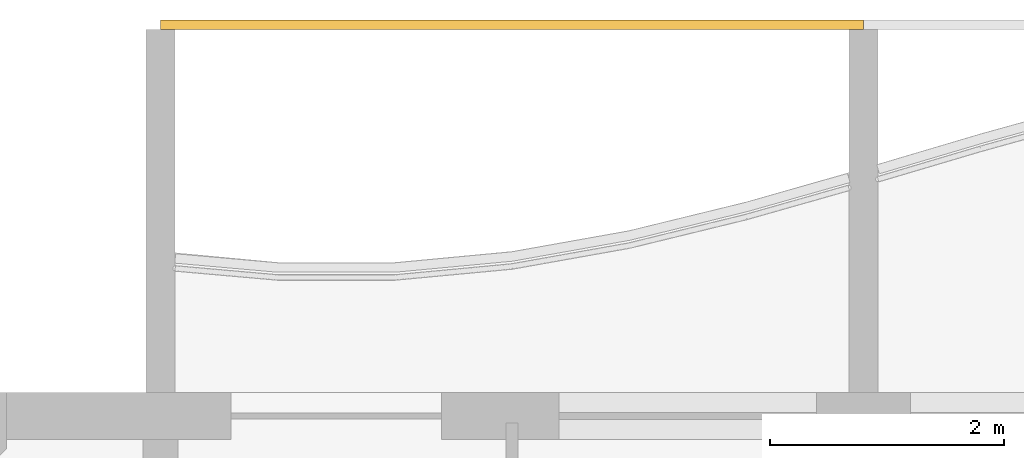
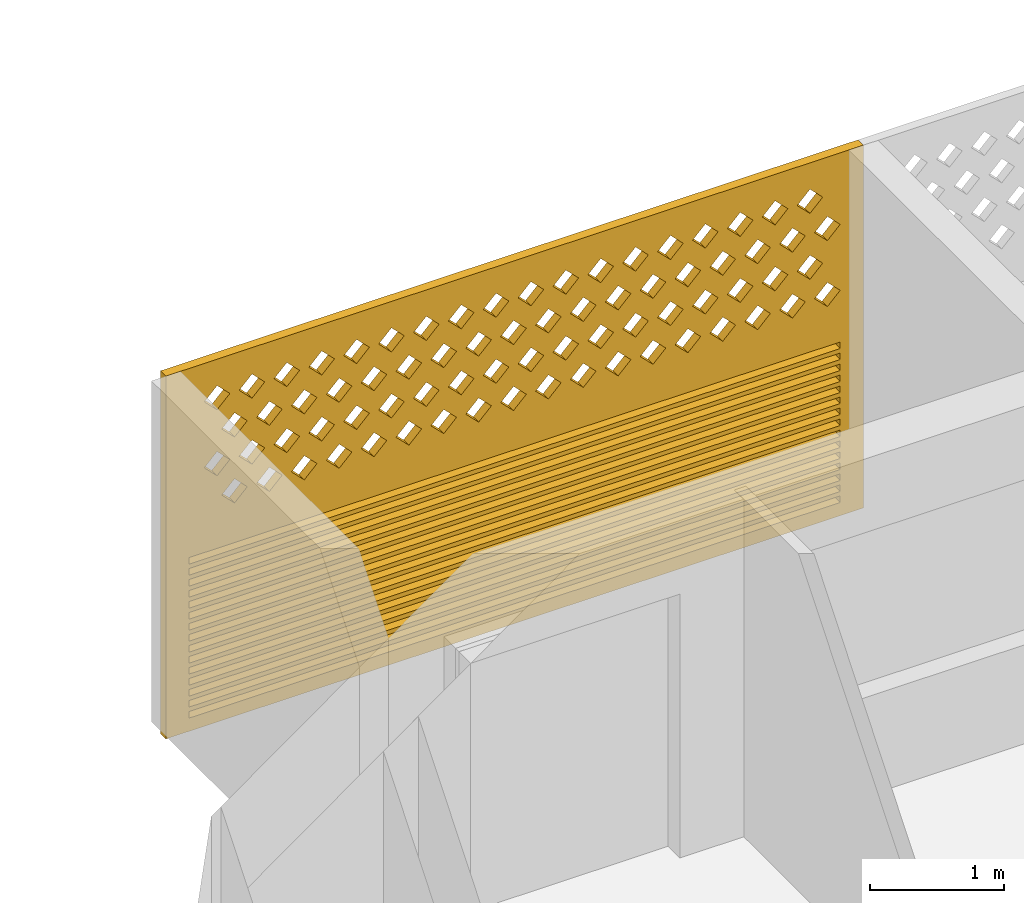
# One storey, part 18 of 32: 1 covering.
"""IFC4 building model written with IfcOpenShell, lengths in metres."""

from ifc_helpers import new_model, si_unit, direction, frame, origin, place, context, subcontext, project, spatial, polyline, outline, extrude, source, transform, mapped, material, material_profile, profile_set, type_object, element, save


model = new_model("IFC4")

# Units and contexts
model_context = context("Model", 3, precision=1e-05, world=origin(), true_north=direction((0.0, 1.0)))
body_context = subcontext(model_context, "Body", "Model", "MODEL_VIEW")
ifc_project = project(units=[si_unit("LENGTHUNIT", "METRE"), si_unit("AREAUNIT", "SQUARE_METRE"), si_unit("VOLUMEUNIT", "CUBIC_METRE"), si_unit("PLANEANGLEUNIT", "RADIAN"), si_unit("MASSUNIT", "GRAM", prefix="KILO")], contexts=[model_context])

# Site, building, storey
site_placement = place(None, origin())
site = spatial("IfcSite", under=ifc_project, at=site_placement, CompositionType="ELEMENT")
building_placement = place(site_placement, origin())
building = spatial("IfcBuilding", under=site, at=building_placement, Name="Poui Terraces", CompositionType="ELEMENT")
storey_placement = place(building_placement, frame((0.0, 0.0, 152.10009765625)))
storey = spatial("IfcBuildingStorey", under=building, at=storey_placement, Name="L42", CompositionType="ELEMENT", Elevation=152.10009765625)

# Covering
ifc_material = material(Name="Terracotta screen", Category="masonry")
ifc_material_profile = material_profile(ifc_material, outline(polyline([(-3.0, -1.64990234375), (3.0, -1.64990234375), (3.0, 1.64990234375), (-3.0, 1.64990234375), (-3.0, -1.64990234375)]), holes=[polyline([(-2.800048828125, 0.39990234375), (-2.68994140625, 0.2900390625), (-2.580078125, 0.39990234375), (-2.68994140625, 0.510009765625), (-2.800048828125, 0.39990234375)]), polyline([(-2.5, 0.39990234375), (-2.389892578125, 0.2900390625), (-2.280029296875, 0.39990234375), (-2.389892578125, 0.510009765625), (-2.5, 0.39990234375)]), polyline([(-2.199951171875, 0.39990234375), (-2.090087890625, 0.2900390625), (-1.97998046875, 0.39990234375), (-2.090087890625, 0.510009765625), (-2.199951171875, 0.39990234375)]), polyline([(-1.89990234375, 0.39990234375), (-1.7900390625, 0.2900390625), (-1.679931640625, 0.39990234375), (-1.7900390625, 0.510009765625), (-1.89990234375, 0.39990234375)]), polyline([(-1.60009765625, 0.39990234375), (-1.489990234375, 0.2900390625), (-1.3798828125, 0.39990234375), (-1.489990234375, 0.510009765625), (-1.60009765625, 0.39990234375)]), polyline([(-1.300048828125, 0.39990234375), (-1.18994140625, 0.2900390625), (-1.080078125, 0.39990234375), (-1.18994140625, 0.510009765625), (-1.300048828125, 0.39990234375)]), polyline([(-1.0, 0.39990234375), (-0.889892578125, 0.2900390625), (-0.780029296875, 0.39990234375), (-0.889892578125, 0.510009765625), (-1.0, 0.39990234375)]), polyline([(-0.699951171875, 0.39990234375), (-0.590087890625, 0.2900390625), (-0.47998046875, 0.39990234375), (-0.590087890625, 0.510009765625), (-0.699951171875, 0.39990234375)]), polyline([(-0.39990234375, 0.39990234375), (-0.2900390625, 0.2900390625), (-0.179931640625, 0.39990234375), (-0.2900390625, 0.510009765625), (-0.39990234375, 0.39990234375)]), polyline([(-0.10009765625, 0.39990234375), (0.010009765625, 0.2900390625), (0.1201171875, 0.39990234375), (0.010009765625, 0.510009765625), (-0.10009765625, 0.39990234375)]), polyline([(0.199951171875, 0.39990234375), (0.31005859375, 0.2900390625), (0.419921875, 0.39990234375), (0.31005859375, 0.510009765625), (0.199951171875, 0.39990234375)]), polyline([(0.5, 0.39990234375), (0.610107421875, 0.2900390625), (0.719970703125, 0.39990234375), (0.610107421875, 0.510009765625), (0.5, 0.39990234375)]), polyline([(0.800048828125, 0.39990234375), (0.909912109375, 0.2900390625), (1.02001953125, 0.39990234375), (0.909912109375, 0.510009765625), (0.800048828125, 0.39990234375)]), polyline([(1.10009765625, 0.39990234375), (1.2099609375, 0.2900390625), (1.320068359375, 0.39990234375), (1.2099609375, 0.510009765625), (1.10009765625, 0.39990234375)]), polyline([(1.39990234375, 0.39990234375), (1.510009765625, 0.2900390625), (1.6201171875, 0.39990234375), (1.510009765625, 0.510009765625), (1.39990234375, 0.39990234375)]), polyline([(1.699951171875, 0.39990234375), (1.81005859375, 0.2900390625), (1.919921875, 0.39990234375), (1.81005859375, 0.510009765625), (1.699951171875, 0.39990234375)]), polyline([(2.0, 0.39990234375), (2.110107421875, 0.2900390625), (2.219970703125, 0.39990234375), (2.110107421875, 0.510009765625), (2.0, 0.39990234375)]), polyline([(2.300048828125, 0.39990234375), (2.409912109375, 0.2900390625), (2.52001953125, 0.39990234375), (2.409912109375, 0.510009765625), (2.300048828125, 0.39990234375)]), polyline([(-2.64990234375, 0.699951171875), (-2.5400390625, 0.590087890625), (-2.429931640625, 0.699951171875), (-2.5400390625, 0.81005859375), (-2.64990234375, 0.699951171875)]), polyline([(-2.35009765625, 0.699951171875), (-2.239990234375, 0.590087890625), (-2.1298828125, 0.699951171875), (-2.239990234375, 0.81005859375), (-2.35009765625, 0.699951171875)]), polyline([(-2.050048828125, 0.699951171875), (-1.93994140625, 0.590087890625), (-1.830078125, 0.699951171875), (-1.93994140625, 0.81005859375), (-2.050048828125, 0.699951171875)]), polyline([(-1.75, 0.699951171875), (-1.639892578125, 0.590087890625), (-1.530029296875, 0.699951171875), (-1.639892578125, 0.81005859375), (-1.75, 0.699951171875)]), polyline([(-1.449951171875, 0.699951171875), (-1.340087890625, 0.590087890625), (-1.22998046875, 0.699951171875), (-1.340087890625, 0.81005859375), (-1.449951171875, 0.699951171875)]), polyline([(-1.14990234375, 0.699951171875), (-1.0400390625, 0.590087890625), (-0.929931640625, 0.699951171875), (-1.0400390625, 0.81005859375), (-1.14990234375, 0.699951171875)]), polyline([(-0.85009765625, 0.699951171875), (-0.739990234375, 0.590087890625), (-0.6298828125, 0.699951171875), (-0.739990234375, 0.81005859375), (-0.85009765625, 0.699951171875)]), polyline([(-0.550048828125, 0.699951171875), (-0.43994140625, 0.590087890625), (-0.330078125, 0.699951171875), (-0.43994140625, 0.81005859375), (-0.550048828125, 0.699951171875)]), polyline([(-0.25, 0.699951171875), (-0.139892578125, 0.590087890625), (-0.030029296875, 0.699951171875), (-0.139892578125, 0.81005859375), (-0.25, 0.699951171875)]), polyline([(0.050048828125, 0.699951171875), (0.159912109375, 0.590087890625), (0.27001953125, 0.699951171875), (0.159912109375, 0.81005859375), (0.050048828125, 0.699951171875)]), polyline([(0.35009765625, 0.699951171875), (0.4599609375, 0.590087890625), (0.570068359375, 0.699951171875), (0.4599609375, 0.81005859375), (0.35009765625, 0.699951171875)]), polyline([(0.64990234375, 0.699951171875), (0.760009765625, 0.590087890625), (0.8701171875, 0.699951171875), (0.760009765625, 0.81005859375), (0.64990234375, 0.699951171875)]), polyline([(0.949951171875, 0.699951171875), (1.06005859375, 0.590087890625), (1.169921875, 0.699951171875), (1.06005859375, 0.81005859375), (0.949951171875, 0.699951171875)]), polyline([(1.25, 0.699951171875), (1.360107421875, 0.590087890625), (1.469970703125, 0.699951171875), (1.360107421875, 0.81005859375), (1.25, 0.699951171875)]), polyline([(1.550048828125, 0.699951171875), (1.659912109375, 0.590087890625), (1.77001953125, 0.699951171875), (1.659912109375, 0.81005859375), (1.550048828125, 0.699951171875)]), polyline([(1.85009765625, 0.699951171875), (1.9599609375, 0.590087890625), (2.070068359375, 0.699951171875), (1.9599609375, 0.81005859375), (1.85009765625, 0.699951171875)]), polyline([(2.14990234375, 0.699951171875), (2.260009765625, 0.590087890625), (2.3701171875, 0.699951171875), (2.260009765625, 0.81005859375), (2.14990234375, 0.699951171875)]), polyline([(2.449951171875, 0.699951171875), (2.56005859375, 0.590087890625), (2.669921875, 0.699951171875), (2.56005859375, 0.81005859375), (2.449951171875, 0.699951171875)]), polyline([(-2.800048828125, 1.0), (-2.68994140625, 0.889892578125), (-2.580078125, 1.0), (-2.68994140625, 1.110107421875), (-2.800048828125, 1.0)]), polyline([(-2.5, 1.0), (-2.389892578125, 0.889892578125), (-2.280029296875, 1.0), (-2.389892578125, 1.110107421875), (-2.5, 1.0)]), polyline([(-2.199951171875, 1.0), (-2.090087890625, 0.889892578125), (-1.97998046875, 1.0), (-2.090087890625, 1.110107421875), (-2.199951171875, 1.0)]), polyline([(-1.89990234375, 1.0), (-1.7900390625, 0.889892578125), (-1.679931640625, 1.0), (-1.7900390625, 1.110107421875), (-1.89990234375, 1.0)]), polyline([(-1.60009765625, 1.0), (-1.489990234375, 0.889892578125), (-1.3798828125, 1.0), (-1.489990234375, 1.110107421875), (-1.60009765625, 1.0)]), polyline([(-1.300048828125, 1.0), (-1.18994140625, 0.889892578125), (-1.080078125, 1.0), (-1.18994140625, 1.110107421875), (-1.300048828125, 1.0)]), polyline([(-1.0, 1.0), (-0.889892578125, 0.889892578125), (-0.780029296875, 1.0), (-0.889892578125, 1.110107421875), (-1.0, 1.0)]), polyline([(-0.699951171875, 1.0), (-0.590087890625, 0.889892578125), (-0.47998046875, 1.0), (-0.590087890625, 1.110107421875), (-0.699951171875, 1.0)]), polyline([(-0.39990234375, 1.0), (-0.2900390625, 0.889892578125), (-0.179931640625, 1.0), (-0.2900390625, 1.110107421875), (-0.39990234375, 1.0)]), polyline([(-0.10009765625, 1.0), (0.010009765625, 0.889892578125), (0.1201171875, 1.0), (0.010009765625, 1.110107421875), (-0.10009765625, 1.0)]), polyline([(0.199951171875, 1.0), (0.31005859375, 0.889892578125), (0.419921875, 1.0), (0.31005859375, 1.110107421875), (0.199951171875, 1.0)]), polyline([(0.5, 1.0), (0.610107421875, 0.889892578125), (0.719970703125, 1.0), (0.610107421875, 1.110107421875), (0.5, 1.0)]), polyline([(0.800048828125, 1.0), (0.909912109375, 0.889892578125), (1.02001953125, 1.0), (0.909912109375, 1.110107421875), (0.800048828125, 1.0)]), polyline([(1.10009765625, 1.0), (1.2099609375, 0.889892578125), (1.320068359375, 1.0), (1.2099609375, 1.110107421875), (1.10009765625, 1.0)]), polyline([(1.39990234375, 1.0), (1.510009765625, 0.889892578125), (1.6201171875, 1.0), (1.510009765625, 1.110107421875), (1.39990234375, 1.0)]), polyline([(1.699951171875, 1.0), (1.81005859375, 0.889892578125), (1.919921875, 1.0), (1.81005859375, 1.110107421875), (1.699951171875, 1.0)]), polyline([(2.0, 1.0), (2.110107421875, 0.889892578125), (2.219970703125, 1.0), (2.110107421875, 1.110107421875), (2.0, 1.0)]), polyline([(2.300048828125, 1.0), (2.409912109375, 0.889892578125), (2.52001953125, 1.0), (2.409912109375, 1.110107421875), (2.300048828125, 1.0)]), polyline([(-2.64990234375, 1.300048828125), (-2.5400390625, 1.18994140625), (-2.429931640625, 1.300048828125), (-2.5400390625, 1.409912109375), (-2.64990234375, 1.300048828125)]), polyline([(-2.35009765625, 1.300048828125), (-2.239990234375, 1.18994140625), (-2.1298828125, 1.300048828125), (-2.239990234375, 1.409912109375), (-2.35009765625, 1.300048828125)]), polyline([(-2.050048828125, 1.300048828125), (-1.93994140625, 1.18994140625), (-1.830078125, 1.300048828125), (-1.93994140625, 1.409912109375), (-2.050048828125, 1.300048828125)]), polyline([(-1.75, 1.300048828125), (-1.639892578125, 1.18994140625), (-1.530029296875, 1.300048828125), (-1.639892578125, 1.409912109375), (-1.75, 1.300048828125)]), polyline([(-1.449951171875, 1.300048828125), (-1.340087890625, 1.18994140625), (-1.22998046875, 1.300048828125), (-1.340087890625, 1.409912109375), (-1.449951171875, 1.300048828125)]), polyline([(-1.14990234375, 1.300048828125), (-1.0400390625, 1.18994140625), (-0.929931640625, 1.300048828125), (-1.0400390625, 1.409912109375), (-1.14990234375, 1.300048828125)]), polyline([(-0.85009765625, 1.300048828125), (-0.739990234375, 1.18994140625), (-0.6298828125, 1.300048828125), (-0.739990234375, 1.409912109375), (-0.85009765625, 1.300048828125)]), polyline([(-0.550048828125, 1.300048828125), (-0.43994140625, 1.18994140625), (-0.330078125, 1.300048828125), (-0.43994140625, 1.409912109375), (-0.550048828125, 1.300048828125)]), polyline([(-0.25, 1.300048828125), (-0.139892578125, 1.18994140625), (-0.030029296875, 1.300048828125), (-0.139892578125, 1.409912109375), (-0.25, 1.300048828125)]), polyline([(0.050048828125, 1.300048828125), (0.159912109375, 1.18994140625), (0.27001953125, 1.300048828125), (0.159912109375, 1.409912109375), (0.050048828125, 1.300048828125)]), polyline([(0.35009765625, 1.300048828125), (0.4599609375, 1.18994140625), (0.570068359375, 1.300048828125), (0.4599609375, 1.409912109375), (0.35009765625, 1.300048828125)]), polyline([(0.64990234375, 1.300048828125), (0.760009765625, 1.18994140625), (0.8701171875, 1.300048828125), (0.760009765625, 1.409912109375), (0.64990234375, 1.300048828125)]), polyline([(0.949951171875, 1.300048828125), (1.06005859375, 1.18994140625), (1.169921875, 1.300048828125), (1.06005859375, 1.409912109375), (0.949951171875, 1.300048828125)]), polyline([(1.25, 1.300048828125), (1.360107421875, 1.18994140625), (1.469970703125, 1.300048828125), (1.360107421875, 1.409912109375), (1.25, 1.300048828125)]), polyline([(1.550048828125, 1.300048828125), (1.659912109375, 1.18994140625), (1.77001953125, 1.300048828125), (1.659912109375, 1.409912109375), (1.550048828125, 1.300048828125)]), polyline([(1.85009765625, 1.300048828125), (1.9599609375, 1.18994140625), (2.070068359375, 1.300048828125), (1.9599609375, 1.409912109375), (1.85009765625, 1.300048828125)]), polyline([(2.14990234375, 1.300048828125), (2.260009765625, 1.18994140625), (2.3701171875, 1.300048828125), (2.260009765625, 1.409912109375), (2.14990234375, 1.300048828125)]), polyline([(2.449951171875, 1.300048828125), (2.56005859375, 1.18994140625), (2.669921875, 1.300048828125), (2.56005859375, 1.409912109375), (2.449951171875, 1.300048828125)]), polyline([(-2.800048828125, -1.530029296875), (2.800048828125, -1.530029296875), (2.800048828125, -1.469970703125), (-2.800048828125, -1.469970703125), (-2.800048828125, -1.530029296875)]), polyline([(-2.800048828125, -1.429931640625), (2.800048828125, -1.429931640625), (2.800048828125, -1.3701171875), (-2.800048828125, -1.3701171875), (-2.800048828125, -1.429931640625)]), polyline([(-2.800048828125, -1.330078125), (2.800048828125, -1.330078125), (2.800048828125, -1.27001953125), (-2.800048828125, -1.27001953125), (-2.800048828125, -1.330078125)]), polyline([(-2.800048828125, -1.22998046875), (2.800048828125, -1.22998046875), (2.800048828125, -1.169921875), (-2.800048828125, -1.169921875), (-2.800048828125, -1.22998046875)]), polyline([(-2.800048828125, -1.1298828125), (2.800048828125, -1.1298828125), (2.800048828125, -1.070068359375), (-2.800048828125, -1.070068359375), (-2.800048828125, -1.1298828125)]), polyline([(-2.800048828125, -1.030029296875), (2.800048828125, -1.030029296875), (2.800048828125, -0.969970703125), (-2.800048828125, -0.969970703125), (-2.800048828125, -1.030029296875)]), polyline([(-2.800048828125, -0.929931640625), (2.800048828125, -0.929931640625), (2.800048828125, -0.8701171875), (-2.800048828125, -0.8701171875), (-2.800048828125, -0.929931640625)]), polyline([(-2.800048828125, -0.830078125), (2.800048828125, -0.830078125), (2.800048828125, -0.77001953125), (-2.800048828125, -0.77001953125), (-2.800048828125, -0.830078125)]), polyline([(-2.800048828125, -0.72998046875), (2.800048828125, -0.72998046875), (2.800048828125, -0.669921875), (-2.800048828125, -0.669921875), (-2.800048828125, -0.72998046875)]), polyline([(-2.800048828125, -0.6298828125), (2.800048828125, -0.6298828125), (2.800048828125, -0.570068359375), (-2.800048828125, -0.570068359375), (-2.800048828125, -0.6298828125)]), polyline([(-2.800048828125, -0.530029296875), (2.800048828125, -0.530029296875), (2.800048828125, -0.469970703125), (-2.800048828125, -0.469970703125), (-2.800048828125, -0.530029296875)]), polyline([(-2.800048828125, -0.429931640625), (2.800048828125, -0.429931640625), (2.800048828125, -0.3701171875), (-2.800048828125, -0.3701171875), (-2.800048828125, -0.429931640625)]), polyline([(-2.800048828125, -0.330078125), (2.800048828125, -0.330078125), (2.800048828125, -0.27001953125), (-2.800048828125, -0.27001953125), (-2.800048828125, -0.330078125)]), polyline([(-2.800048828125, -0.22998046875), (2.800048828125, -0.22998046875), (2.800048828125, -0.169921875), (-2.800048828125, -0.169921875), (-2.800048828125, -0.22998046875)]), polyline([(-2.800048828125, -0.1298828125), (2.800048828125, -0.1298828125), (2.800048828125, -0.070068359375), (-2.800048828125, -0.070068359375), (-2.800048828125, -0.1298828125)])]), Name="TERRACOTTA SCREEN AND JALOUSIE LOUVRE 6000X3300")
ifc_profile_set = profile_set([ifc_material_profile], Name="Terracotta screen")
covering_type = type_object("IfcCoveringType", Name="TERRACOTTA SCREEN AND JALOUSIE LOUVRE 6000X3300", PredefinedType="CLADDING", material=ifc_profile_set)
shared_shape = source(origin(), body_context, "Body", "SweptSolid", [
    extrude(outline(polyline([(-3.0, -1.64990234375), (3.0, -1.64990234375), (3.0, 1.64990234375), (-3.0, 1.64990234375), (-3.0, -1.64990234375)]), holes=[polyline([(-2.800048828125, 0.39990234375), (-2.68994140625, 0.2900390625), (-2.580078125, 0.39990234375), (-2.68994140625, 0.510009765625), (-2.800048828125, 0.39990234375)]), polyline([(-2.5, 0.39990234375), (-2.389892578125, 0.2900390625), (-2.280029296875, 0.39990234375), (-2.389892578125, 0.510009765625), (-2.5, 0.39990234375)]), polyline([(-2.199951171875, 0.39990234375), (-2.090087890625, 0.2900390625), (-1.97998046875, 0.39990234375), (-2.090087890625, 0.510009765625), (-2.199951171875, 0.39990234375)]), polyline([(-1.89990234375, 0.39990234375), (-1.7900390625, 0.2900390625), (-1.679931640625, 0.39990234375), (-1.7900390625, 0.510009765625), (-1.89990234375, 0.39990234375)]), polyline([(-1.60009765625, 0.39990234375), (-1.489990234375, 0.2900390625), (-1.3798828125, 0.39990234375), (-1.489990234375, 0.510009765625), (-1.60009765625, 0.39990234375)]), polyline([(-1.300048828125, 0.39990234375), (-1.18994140625, 0.2900390625), (-1.080078125, 0.39990234375), (-1.18994140625, 0.510009765625), (-1.300048828125, 0.39990234375)]), polyline([(-1.0, 0.39990234375), (-0.889892578125, 0.2900390625), (-0.780029296875, 0.39990234375), (-0.889892578125, 0.510009765625), (-1.0, 0.39990234375)]), polyline([(-0.699951171875, 0.39990234375), (-0.590087890625, 0.2900390625), (-0.47998046875, 0.39990234375), (-0.590087890625, 0.510009765625), (-0.699951171875, 0.39990234375)]), polyline([(-0.39990234375, 0.39990234375), (-0.2900390625, 0.2900390625), (-0.179931640625, 0.39990234375), (-0.2900390625, 0.510009765625), (-0.39990234375, 0.39990234375)]), polyline([(-0.10009765625, 0.39990234375), (0.010009765625, 0.2900390625), (0.1201171875, 0.39990234375), (0.010009765625, 0.510009765625), (-0.10009765625, 0.39990234375)]), polyline([(0.199951171875, 0.39990234375), (0.31005859375, 0.2900390625), (0.419921875, 0.39990234375), (0.31005859375, 0.510009765625), (0.199951171875, 0.39990234375)]), polyline([(0.5, 0.39990234375), (0.610107421875, 0.2900390625), (0.719970703125, 0.39990234375), (0.610107421875, 0.510009765625), (0.5, 0.39990234375)]), polyline([(0.800048828125, 0.39990234375), (0.909912109375, 0.2900390625), (1.02001953125, 0.39990234375), (0.909912109375, 0.510009765625), (0.800048828125, 0.39990234375)]), polyline([(1.10009765625, 0.39990234375), (1.2099609375, 0.2900390625), (1.320068359375, 0.39990234375), (1.2099609375, 0.510009765625), (1.10009765625, 0.39990234375)]), polyline([(1.39990234375, 0.39990234375), (1.510009765625, 0.2900390625), (1.6201171875, 0.39990234375), (1.510009765625, 0.510009765625), (1.39990234375, 0.39990234375)]), polyline([(1.699951171875, 0.39990234375), (1.81005859375, 0.2900390625), (1.919921875, 0.39990234375), (1.81005859375, 0.510009765625), (1.699951171875, 0.39990234375)]), polyline([(2.0, 0.39990234375), (2.110107421875, 0.2900390625), (2.219970703125, 0.39990234375), (2.110107421875, 0.510009765625), (2.0, 0.39990234375)]), polyline([(2.300048828125, 0.39990234375), (2.409912109375, 0.2900390625), (2.52001953125, 0.39990234375), (2.409912109375, 0.510009765625), (2.300048828125, 0.39990234375)]), polyline([(-2.64990234375, 0.699951171875), (-2.5400390625, 0.590087890625), (-2.429931640625, 0.699951171875), (-2.5400390625, 0.81005859375), (-2.64990234375, 0.699951171875)]), polyline([(-2.35009765625, 0.699951171875), (-2.239990234375, 0.590087890625), (-2.1298828125, 0.699951171875), (-2.239990234375, 0.81005859375), (-2.35009765625, 0.699951171875)]), polyline([(-2.050048828125, 0.699951171875), (-1.93994140625, 0.590087890625), (-1.830078125, 0.699951171875), (-1.93994140625, 0.81005859375), (-2.050048828125, 0.699951171875)]), polyline([(-1.75, 0.699951171875), (-1.639892578125, 0.590087890625), (-1.530029296875, 0.699951171875), (-1.639892578125, 0.81005859375), (-1.75, 0.699951171875)]), polyline([(-1.449951171875, 0.699951171875), (-1.340087890625, 0.590087890625), (-1.22998046875, 0.699951171875), (-1.340087890625, 0.81005859375), (-1.449951171875, 0.699951171875)]), polyline([(-1.14990234375, 0.699951171875), (-1.0400390625, 0.590087890625), (-0.929931640625, 0.699951171875), (-1.0400390625, 0.81005859375), (-1.14990234375, 0.699951171875)]), polyline([(-0.85009765625, 0.699951171875), (-0.739990234375, 0.590087890625), (-0.6298828125, 0.699951171875), (-0.739990234375, 0.81005859375), (-0.85009765625, 0.699951171875)]), polyline([(-0.550048828125, 0.699951171875), (-0.43994140625, 0.590087890625), (-0.330078125, 0.699951171875), (-0.43994140625, 0.81005859375), (-0.550048828125, 0.699951171875)]), polyline([(-0.25, 0.699951171875), (-0.139892578125, 0.590087890625), (-0.030029296875, 0.699951171875), (-0.139892578125, 0.81005859375), (-0.25, 0.699951171875)]), polyline([(0.050048828125, 0.699951171875), (0.159912109375, 0.590087890625), (0.27001953125, 0.699951171875), (0.159912109375, 0.81005859375), (0.050048828125, 0.699951171875)]), polyline([(0.35009765625, 0.699951171875), (0.4599609375, 0.590087890625), (0.570068359375, 0.699951171875), (0.4599609375, 0.81005859375), (0.35009765625, 0.699951171875)]), polyline([(0.64990234375, 0.699951171875), (0.760009765625, 0.590087890625), (0.8701171875, 0.699951171875), (0.760009765625, 0.81005859375), (0.64990234375, 0.699951171875)]), polyline([(0.949951171875, 0.699951171875), (1.06005859375, 0.590087890625), (1.169921875, 0.699951171875), (1.06005859375, 0.81005859375), (0.949951171875, 0.699951171875)]), polyline([(1.25, 0.699951171875), (1.360107421875, 0.590087890625), (1.469970703125, 0.699951171875), (1.360107421875, 0.81005859375), (1.25, 0.699951171875)]), polyline([(1.550048828125, 0.699951171875), (1.659912109375, 0.590087890625), (1.77001953125, 0.699951171875), (1.659912109375, 0.81005859375), (1.550048828125, 0.699951171875)]), polyline([(1.85009765625, 0.699951171875), (1.9599609375, 0.590087890625), (2.070068359375, 0.699951171875), (1.9599609375, 0.81005859375), (1.85009765625, 0.699951171875)]), polyline([(2.14990234375, 0.699951171875), (2.260009765625, 0.590087890625), (2.3701171875, 0.699951171875), (2.260009765625, 0.81005859375), (2.14990234375, 0.699951171875)]), polyline([(2.449951171875, 0.699951171875), (2.56005859375, 0.590087890625), (2.669921875, 0.699951171875), (2.56005859375, 0.81005859375), (2.449951171875, 0.699951171875)]), polyline([(-2.800048828125, 1.0), (-2.68994140625, 0.889892578125), (-2.580078125, 1.0), (-2.68994140625, 1.110107421875), (-2.800048828125, 1.0)]), polyline([(-2.5, 1.0), (-2.389892578125, 0.889892578125), (-2.280029296875, 1.0), (-2.389892578125, 1.110107421875), (-2.5, 1.0)]), polyline([(-2.199951171875, 1.0), (-2.090087890625, 0.889892578125), (-1.97998046875, 1.0), (-2.090087890625, 1.110107421875), (-2.199951171875, 1.0)]), polyline([(-1.89990234375, 1.0), (-1.7900390625, 0.889892578125), (-1.679931640625, 1.0), (-1.7900390625, 1.110107421875), (-1.89990234375, 1.0)]), polyline([(-1.60009765625, 1.0), (-1.489990234375, 0.889892578125), (-1.3798828125, 1.0), (-1.489990234375, 1.110107421875), (-1.60009765625, 1.0)]), polyline([(-1.300048828125, 1.0), (-1.18994140625, 0.889892578125), (-1.080078125, 1.0), (-1.18994140625, 1.110107421875), (-1.300048828125, 1.0)]), polyline([(-1.0, 1.0), (-0.889892578125, 0.889892578125), (-0.780029296875, 1.0), (-0.889892578125, 1.110107421875), (-1.0, 1.0)]), polyline([(-0.699951171875, 1.0), (-0.590087890625, 0.889892578125), (-0.47998046875, 1.0), (-0.590087890625, 1.110107421875), (-0.699951171875, 1.0)]), polyline([(-0.39990234375, 1.0), (-0.2900390625, 0.889892578125), (-0.179931640625, 1.0), (-0.2900390625, 1.110107421875), (-0.39990234375, 1.0)]), polyline([(-0.10009765625, 1.0), (0.010009765625, 0.889892578125), (0.1201171875, 1.0), (0.010009765625, 1.110107421875), (-0.10009765625, 1.0)]), polyline([(0.199951171875, 1.0), (0.31005859375, 0.889892578125), (0.419921875, 1.0), (0.31005859375, 1.110107421875), (0.199951171875, 1.0)]), polyline([(0.5, 1.0), (0.610107421875, 0.889892578125), (0.719970703125, 1.0), (0.610107421875, 1.110107421875), (0.5, 1.0)]), polyline([(0.800048828125, 1.0), (0.909912109375, 0.889892578125), (1.02001953125, 1.0), (0.909912109375, 1.110107421875), (0.800048828125, 1.0)]), polyline([(1.10009765625, 1.0), (1.2099609375, 0.889892578125), (1.320068359375, 1.0), (1.2099609375, 1.110107421875), (1.10009765625, 1.0)]), polyline([(1.39990234375, 1.0), (1.510009765625, 0.889892578125), (1.6201171875, 1.0), (1.510009765625, 1.110107421875), (1.39990234375, 1.0)]), polyline([(1.699951171875, 1.0), (1.81005859375, 0.889892578125), (1.919921875, 1.0), (1.81005859375, 1.110107421875), (1.699951171875, 1.0)]), polyline([(2.0, 1.0), (2.110107421875, 0.889892578125), (2.219970703125, 1.0), (2.110107421875, 1.110107421875), (2.0, 1.0)]), polyline([(2.300048828125, 1.0), (2.409912109375, 0.889892578125), (2.52001953125, 1.0), (2.409912109375, 1.110107421875), (2.300048828125, 1.0)]), polyline([(-2.64990234375, 1.300048828125), (-2.5400390625, 1.18994140625), (-2.429931640625, 1.300048828125), (-2.5400390625, 1.409912109375), (-2.64990234375, 1.300048828125)]), polyline([(-2.35009765625, 1.300048828125), (-2.239990234375, 1.18994140625), (-2.1298828125, 1.300048828125), (-2.239990234375, 1.409912109375), (-2.35009765625, 1.300048828125)]), polyline([(-2.050048828125, 1.300048828125), (-1.93994140625, 1.18994140625), (-1.830078125, 1.300048828125), (-1.93994140625, 1.409912109375), (-2.050048828125, 1.300048828125)]), polyline([(-1.75, 1.300048828125), (-1.639892578125, 1.18994140625), (-1.530029296875, 1.300048828125), (-1.639892578125, 1.409912109375), (-1.75, 1.300048828125)]), polyline([(-1.449951171875, 1.300048828125), (-1.340087890625, 1.18994140625), (-1.22998046875, 1.300048828125), (-1.340087890625, 1.409912109375), (-1.449951171875, 1.300048828125)]), polyline([(-1.14990234375, 1.300048828125), (-1.0400390625, 1.18994140625), (-0.929931640625, 1.300048828125), (-1.0400390625, 1.409912109375), (-1.14990234375, 1.300048828125)]), polyline([(-0.85009765625, 1.300048828125), (-0.739990234375, 1.18994140625), (-0.6298828125, 1.300048828125), (-0.739990234375, 1.409912109375), (-0.85009765625, 1.300048828125)]), polyline([(-0.550048828125, 1.300048828125), (-0.43994140625, 1.18994140625), (-0.330078125, 1.300048828125), (-0.43994140625, 1.409912109375), (-0.550048828125, 1.300048828125)]), polyline([(-0.25, 1.300048828125), (-0.139892578125, 1.18994140625), (-0.030029296875, 1.300048828125), (-0.139892578125, 1.409912109375), (-0.25, 1.300048828125)]), polyline([(0.050048828125, 1.300048828125), (0.159912109375, 1.18994140625), (0.27001953125, 1.300048828125), (0.159912109375, 1.409912109375), (0.050048828125, 1.300048828125)]), polyline([(0.35009765625, 1.300048828125), (0.4599609375, 1.18994140625), (0.570068359375, 1.300048828125), (0.4599609375, 1.409912109375), (0.35009765625, 1.300048828125)]), polyline([(0.64990234375, 1.300048828125), (0.760009765625, 1.18994140625), (0.8701171875, 1.300048828125), (0.760009765625, 1.409912109375), (0.64990234375, 1.300048828125)]), polyline([(0.949951171875, 1.300048828125), (1.06005859375, 1.18994140625), (1.169921875, 1.300048828125), (1.06005859375, 1.409912109375), (0.949951171875, 1.300048828125)]), polyline([(1.25, 1.300048828125), (1.360107421875, 1.18994140625), (1.469970703125, 1.300048828125), (1.360107421875, 1.409912109375), (1.25, 1.300048828125)]), polyline([(1.550048828125, 1.300048828125), (1.659912109375, 1.18994140625), (1.77001953125, 1.300048828125), (1.659912109375, 1.409912109375), (1.550048828125, 1.300048828125)]), polyline([(1.85009765625, 1.300048828125), (1.9599609375, 1.18994140625), (2.070068359375, 1.300048828125), (1.9599609375, 1.409912109375), (1.85009765625, 1.300048828125)]), polyline([(2.14990234375, 1.300048828125), (2.260009765625, 1.18994140625), (2.3701171875, 1.300048828125), (2.260009765625, 1.409912109375), (2.14990234375, 1.300048828125)]), polyline([(2.449951171875, 1.300048828125), (2.56005859375, 1.18994140625), (2.669921875, 1.300048828125), (2.56005859375, 1.409912109375), (2.449951171875, 1.300048828125)]), polyline([(-2.800048828125, -1.530029296875), (2.800048828125, -1.530029296875), (2.800048828125, -1.469970703125), (-2.800048828125, -1.469970703125), (-2.800048828125, -1.530029296875)]), polyline([(-2.800048828125, -1.429931640625), (2.800048828125, -1.429931640625), (2.800048828125, -1.3701171875), (-2.800048828125, -1.3701171875), (-2.800048828125, -1.429931640625)]), polyline([(-2.800048828125, -1.330078125), (2.800048828125, -1.330078125), (2.800048828125, -1.27001953125), (-2.800048828125, -1.27001953125), (-2.800048828125, -1.330078125)]), polyline([(-2.800048828125, -1.22998046875), (2.800048828125, -1.22998046875), (2.800048828125, -1.169921875), (-2.800048828125, -1.169921875), (-2.800048828125, -1.22998046875)]), polyline([(-2.800048828125, -1.1298828125), (2.800048828125, -1.1298828125), (2.800048828125, -1.070068359375), (-2.800048828125, -1.070068359375), (-2.800048828125, -1.1298828125)]), polyline([(-2.800048828125, -1.030029296875), (2.800048828125, -1.030029296875), (2.800048828125, -0.969970703125), (-2.800048828125, -0.969970703125), (-2.800048828125, -1.030029296875)]), polyline([(-2.800048828125, -0.929931640625), (2.800048828125, -0.929931640625), (2.800048828125, -0.8701171875), (-2.800048828125, -0.8701171875), (-2.800048828125, -0.929931640625)]), polyline([(-2.800048828125, -0.830078125), (2.800048828125, -0.830078125), (2.800048828125, -0.77001953125), (-2.800048828125, -0.77001953125), (-2.800048828125, -0.830078125)]), polyline([(-2.800048828125, -0.72998046875), (2.800048828125, -0.72998046875), (2.800048828125, -0.669921875), (-2.800048828125, -0.669921875), (-2.800048828125, -0.72998046875)]), polyline([(-2.800048828125, -0.6298828125), (2.800048828125, -0.6298828125), (2.800048828125, -0.570068359375), (-2.800048828125, -0.570068359375), (-2.800048828125, -0.6298828125)]), polyline([(-2.800048828125, -0.530029296875), (2.800048828125, -0.530029296875), (2.800048828125, -0.469970703125), (-2.800048828125, -0.469970703125), (-2.800048828125, -0.530029296875)]), polyline([(-2.800048828125, -0.429931640625), (2.800048828125, -0.429931640625), (2.800048828125, -0.3701171875), (-2.800048828125, -0.3701171875), (-2.800048828125, -0.429931640625)]), polyline([(-2.800048828125, -0.330078125), (2.800048828125, -0.330078125), (2.800048828125, -0.27001953125), (-2.800048828125, -0.27001953125), (-2.800048828125, -0.330078125)]), polyline([(-2.800048828125, -0.22998046875), (2.800048828125, -0.22998046875), (2.800048828125, -0.169921875), (-2.800048828125, -0.169921875), (-2.800048828125, -0.22998046875)]), polyline([(-2.800048828125, -0.1298828125), (2.800048828125, -0.1298828125), (2.800048828125, -0.070068359375), (-2.800048828125, -0.070068359375), (-2.800048828125, -0.1298828125)])]), origin(), (0.0, 0.0, 1.0), 0.080078125),
])
covering_placement = place(storey_placement, frame((21.0, 45.699951171875, 1.449951171875), z_axis=(0.0, 1.0, 0.0), x_axis=(-1.0, 0.0, 0.0)))
element("IfcCovering", 1, at=covering_placement, inside=storey, type_object=covering_type, Name="SOLAR SCREEN AND JALOUSIE LOUVRE", PredefinedType="CLADDING", context=body_context, shape_type="MappedRepresentation", body=[
    mapped(shared_shape, transform((0.0, 0.0, 0.0))),
])

save(model, "model.ifc")
